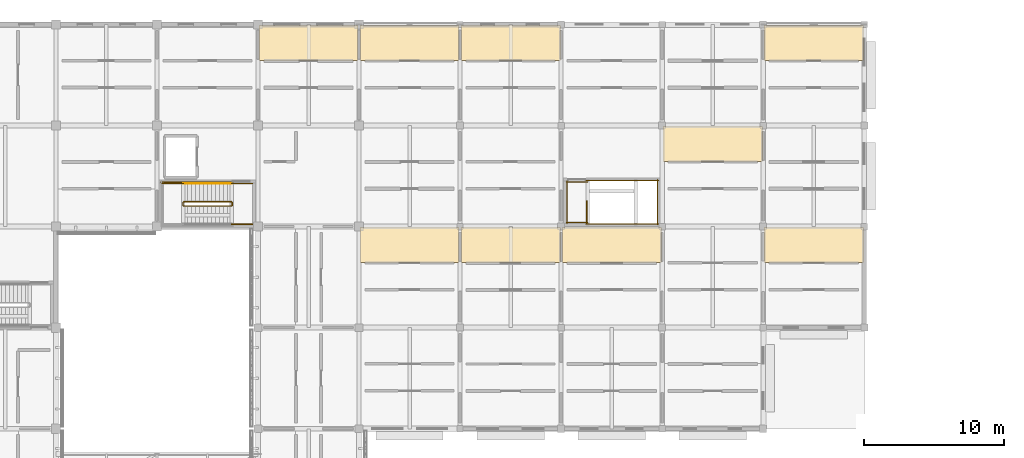
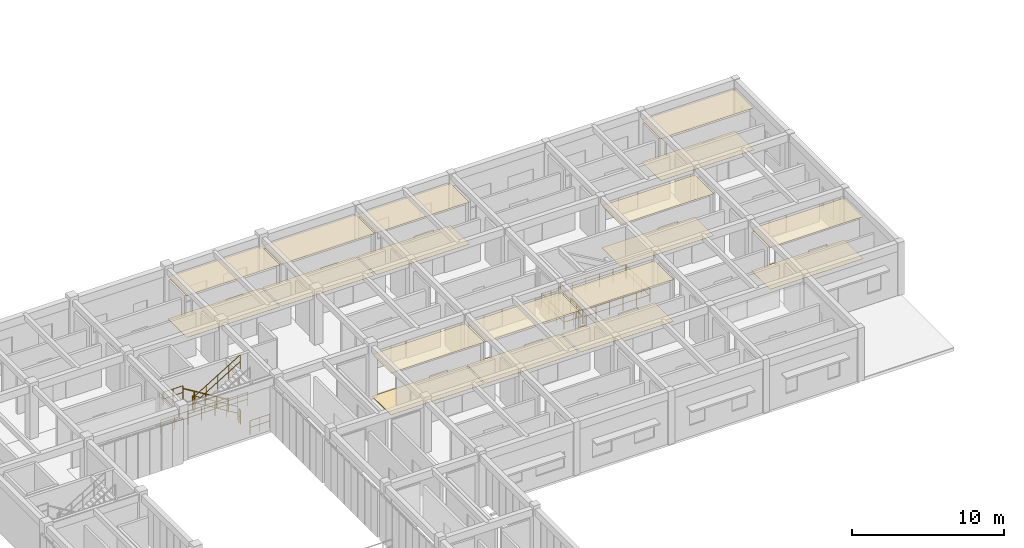
# One storey, part 89 of 91: 18 coverings, 16 railings.
"""IFC4 building model written with IfcOpenShell, lengths in metres."""

import ifcopenshell
import ifcopenshell.guid

model = None  # the IFC model being written
_history = None  # IfcOwnerHistory: only IFC2X3 demands one
_inside = {}  # id of a spatial element -> (the spatial element, [elements in it])
_under = {}  # id of a project, library or spatial element -> (it, [spatial elements below it])
_declared = {}  # id of a project -> (the project, [libraries it declares])
_typed = {}  # id of a type object -> (the type object, [elements of that type])
_made_of = {}  # id of a material, layer set ... -> (it, [elements and type objects made of it])


def new_model(schema):
    """Start an empty IFC model of exactly this schema.

    Asked for "IFC4X3", IfcOpenShell would pick the latest addendum, in which some entities
    have other attributes; the version numbers below select the first issue.
    IFC2X3 requires an IfcOwnerHistory on every rooted entity: one is made here for all.
    """
    global model, _history
    if schema == "IFC4X3":
        model = ifcopenshell.file(schema_version=(4, 3, 0, 0))
    else:
        model = ifcopenshell.file(schema=schema)
    _inside.clear()
    _under.clear()
    _declared.clear()
    _typed.clear()
    _made_of.clear()
    _history = None
    if model.schema == "IFC2X3":
        org = make("IfcOrganization", Name="unknown")
        user = make(
            "IfcPersonAndOrganization",
            ThePerson=make("IfcPerson", FamilyName="unknown"),
            TheOrganization=org,
        )
        app = make(
            "IfcApplication",
            ApplicationDeveloper=org,
            Version="unknown",
            ApplicationFullName="unknown",
            ApplicationIdentifier="unknown",
        )
        _history = make(
            "IfcOwnerHistory",
            OwningUser=user,
            OwningApplication=app,
            ChangeAction="ADDED",
            CreationDate=0,
        )
    return model


def make(cls, **values):
    """One entity of the class cls with the attributes given. An attribute that is None is left unset."""
    return model.create_entity(
        cls, **{name: value for name, value in values.items() if value is not None}
    )


def rooted(cls, **values):
    """An entity with a GlobalId (a new one), such as an element, a storey or a relation."""
    return make(cls, GlobalId=ifcopenshell.guid.new(), OwnerHistory=_history, **values)


def si_unit(unit_type, name, prefix=None):
    """IfcSIUnit, for example si_unit("LENGTHUNIT", "METRE", prefix="MILLI")."""
    return make("IfcSIUnit", UnitType=unit_type, Prefix=prefix, Name=name)


def assignment(units):
    """IfcUnitAssignment: the units of a project."""
    return None if units is None else make("IfcUnitAssignment", Units=units)


def point(xyz):
    """IfcCartesianPoint."""
    return None if xyz is None else make("IfcCartesianPoint", Coordinates=xyz)


def direction(xyz):
    """IfcDirection."""
    return None if xyz is None else make("IfcDirection", DirectionRatios=xyz)


def frame(location, z_axis=None, x_axis=None):
    """IfcAxis2Placement3D, a coordinate frame: its origin and axes. An axis left out is left unset."""
    return make(
        "IfcAxis2Placement3D",
        Location=point(location),
        Axis=direction(z_axis),
        RefDirection=direction(x_axis),
    )


def frame_2d(location, x_axis=None):
    """IfcAxis2Placement2D, a coordinate frame in the plane: its origin and x axis."""
    return make(
        "IfcAxis2Placement2D", Location=point(location), RefDirection=direction(x_axis)
    )


def origin():
    """The frame at (0, 0, 0) with its axes left unset."""
    return frame((0.0, 0.0, 0.0))


def origin_2d():
    """The frame at (0, 0) in the plane with its x axis left unset."""
    return frame_2d((0.0, 0.0))


def place(relative_to, where):
    """IfcLocalPlacement: puts the frame where relative to a parent placement (None: the world)."""
    return make(
        "IfcLocalPlacement", PlacementRelTo=relative_to, RelativePlacement=where
    )


def context(
    kind, dimensions, precision=None, world=None, true_north=None, identifier=None
):
    """IfcGeometricRepresentationContext, for example the 3D "Model" context."""
    return make(
        "IfcGeometricRepresentationContext",
        ContextIdentifier=identifier,
        ContextType=kind,
        CoordinateSpaceDimension=dimensions,
        Precision=precision,
        WorldCoordinateSystem=world,
        TrueNorth=true_north,
    )


def subcontext(parent, identifier, kind, view, scale=None):
    """IfcGeometricRepresentationSubContext, for example "Body" below "Model"."""
    return make(
        "IfcGeometricRepresentationSubContext",
        ContextIdentifier=identifier,
        ContextType=kind,
        ParentContext=parent,
        TargetScale=scale,
        TargetView=view,
    )


def project(units=None, contexts=None):
    """IfcProject with its units and contexts."""
    return rooted(
        "IfcProject",
        Name="project",
        RepresentationContexts=contexts,
        UnitsInContext=assignment(units),
    )


def spatial(cls, under=None, at=None, **own):
    """A site, building, storey or space (cls), placed at a placement, below another one or the project."""
    s = rooted(cls, ObjectPlacement=at, **own)
    if under is not None:
        _under.setdefault(under.id(), (under, []))[1].append(s)
    return s


def polyline(points):
    """IfcPolyline through the points."""
    return make("IfcPolyline", Points=[point(p) for p in points])


def profile(cls, at=None, kind="AREA", **sizes):
    """A parametric profile (cls). Its sizes go by their IFC names, for example OverallWidth=200.0."""
    return make(cls, ProfileType=kind, Position=at, **sizes)


def circle(**sizes):
    """IfcCircleProfileDef."""
    return profile("IfcCircleProfileDef", **sizes)


def outline(outer, holes=None, kind="AREA"):
    """IfcArbitraryClosedProfileDef: a profile drawn as a closed curve; with holes, ...WithVoids."""
    if holes is None:
        return make("IfcArbitraryClosedProfileDef", ProfileType=kind, OuterCurve=outer)
    return make(
        "IfcArbitraryProfileDefWithVoids",
        ProfileType=kind,
        OuterCurve=outer,
        InnerCurves=holes,
    )


def extrude(swept, where, along, depth):
    """IfcExtrudedAreaSolid: the profile swept, set in the frame where, extruded along a direction by depth."""
    return make(
        "IfcExtrudedAreaSolid",
        SweptArea=swept,
        Position=where,
        ExtrudedDirection=direction(along),
        Depth=depth,
    )


def shape(context_of_items, identifier, shape_type, items):
    """IfcShapeRepresentation: the items that make up one representation, for example the "Body"."""
    return make(
        "IfcShapeRepresentation",
        ContextOfItems=context_of_items,
        RepresentationIdentifier=identifier,
        RepresentationType=shape_type,
        Items=items,
    )


def material(Name=None, Category=None):
    """IfcMaterial."""
    return make("IfcMaterial", Name=Name, Category=Category)


def layer(
    of_material, thickness, ventilated=None, Name=None, Category=None, Priority=None
):
    """IfcMaterialLayer: one layer of a wall or slab, of a material (None: an air gap)."""
    return make(
        "IfcMaterialLayer",
        Material=of_material,
        LayerThickness=thickness,
        IsVentilated=ventilated,
        Name=Name,
        Category=Category,
        Priority=Priority,
    )


def layer_set(layers, Name=None):
    """IfcMaterialLayerSet."""
    return make("IfcMaterialLayerSet", MaterialLayers=layers, LayerSetName=Name)


def made_of(thing, what):
    """Note that an element or type object is made of a material, layer set ...; save() writes the relation."""
    if what is not None:
        _made_of.setdefault(what.id(), (what, []))[1].append(thing)
    return thing


def type_object(cls, material=None, **own):
    """A type object (cls), such as IfcWallType, which elements share."""
    return made_of(rooted(cls, **own), material)


def element(
    cls,
    number,
    at=None,
    inside=None,
    cuts=None,
    type_object=None,
    material=None,
    context=None,
    identifier="Body",
    shape_type=None,
    held_by="IfcProductDefinitionShape",
    body=None,
    shapes=None,
    **own,
):
    """One element of the class cls, such as IfcWall. Its Tag is "e" and its number.

    at: its placement. inside: the storey or other place that contains it. cuts: it is an
    opening in that element (IfcRelVoidsElement). A single representation is given by context,
    identifier, shape_type and body (its items); several are given by shapes. held_by: the class
    of the entity that holds the representations. save() writes the other relations.
    """
    e = rooted(cls, Tag="e%d" % number, ObjectPlacement=at, **own)
    if body is not None:
        shapes = [shape(context, identifier, shape_type, body)]
    if shapes is not None:
        e.Representation = make(held_by, Representations=shapes)
    if inside is not None:
        _inside.setdefault(inside.id(), (inside, []))[1].append(e)
    if cuts is not None:
        rooted(
            "IfcRelVoidsElement", RelatingBuildingElement=cuts, RelatedOpeningElement=e
        )
    if type_object is not None:
        _typed.setdefault(type_object.id(), (type_object, []))[1].append(e)
    return made_of(e, material)


def aggregate(whole, parts):
    """IfcRelAggregates: a whole, such as a stair, and the parts it consists of."""
    return rooted("IfcRelAggregates", RelatingObject=whole, RelatedObjects=parts)


def save(model, path):
    """Write the relations noted so far, then the file.

    IfcRelAggregates (storeys below a building ...), IfcRelContainedInSpatialStructure (elements
    in a storey), IfcRelDefinesByType, IfcRelAssociatesMaterial and IfcRelDeclares: one each for
    every whole, place, type object, material and project.
    """
    for whole, parts in _under.values():
        aggregate(whole, parts)
    for where, things in _inside.values():
        rooted(
            "IfcRelContainedInSpatialStructure",
            RelatedElements=things,
            RelatingStructure=where,
        )
    for kind, things in _typed.values():
        rooted("IfcRelDefinesByType", RelatedObjects=things, RelatingType=kind)
    for what, things in _made_of.values():
        rooted("IfcRelAssociatesMaterial", RelatedObjects=things, RelatingMaterial=what)
    for by, libraries in _declared.values():
        rooted("IfcRelDeclares", RelatingContext=by, RelatedDefinitions=libraries)
    model.write(path)


model = new_model("IFC4")

# Units and contexts
model_context = context("Model", 3, precision=1e-05, world=origin(), true_north=direction((0.0, 1.0)))
body_context = subcontext(model_context, "Body", "Model", "MODEL_VIEW")
ifc_project = project(units=[si_unit("LENGTHUNIT", "METRE"), si_unit("AREAUNIT", "SQUARE_METRE"), si_unit("VOLUMEUNIT", "CUBIC_METRE"), si_unit("PLANEANGLEUNIT", "RADIAN"), si_unit("MASSUNIT", "GRAM", prefix="KILO")], contexts=[model_context])

# Site, building, storey
site_placement = place(None, origin())
site = spatial("IfcSite", under=ifc_project, at=site_placement, CompositionType="ELEMENT")
building_placement = place(site_placement, origin())
building = spatial("IfcBuilding", under=site, at=building_placement, Name="Aldebral Square Health Centre", CompositionType="ELEMENT")
storey_placement = place(building_placement, frame((0.0, 0.0, 9.0)))
storey = spatial("IfcBuildingStorey", under=building, at=storey_placement, Name="L02", CompositionType="ELEMENT", Elevation=9.0)

# Coverings
ifc_material_1 = material(Name="Hygienic acoustic mineral ceiling tile")
ifc_layer_1 = layer(ifc_material_1, 0.02001953125, Name="Hygienic acoustic mineral ceiling tile")
ifc_layer_set_1 = layer_set([ifc_layer_1], Name="Hygienic acoustic mineral ceiling tile")
covering_type_1 = type_object("IfcCoveringType", Name="COV-CLG-AC", PredefinedType="CEILING", material=ifc_layer_set_1)
covering_1_placement = place(storey_placement, frame((0.0, 0.0, 3.360107421875)))
element("IfcCovering", 1, at=covering_1_placement, inside=storey, type_object=covering_type_1, Name="L02 Pre-Operative Preparation 5.14N acoustic ceiling", PredefinedType="CEILING", context=body_context, shape_type="SweptSolid", body=[
    extrude(outline(polyline([(28.860107421875, 98.239990234375), (35.93994140625, 98.239990234375), (35.93994140625, 100.739990234375), (28.860107421875, 100.739990234375), (28.860107421875, 98.239990234375)])), origin(), (0.0, 0.0, 1.0), 0.019775390625),
])
covering_2_placement = place(storey_placement, frame((0.0, 0.0, 3.360107421875)))
element("IfcCovering", 2, at=covering_2_placement, inside=storey, type_object=covering_type_1, Name="L02 Surgical HVAC Plant Room 5.16N acoustic ceiling", PredefinedType="CEILING", context=body_context, shape_type="SweptSolid", body=[
    extrude(outline(polyline([(28.860107421875, 112.639892578125), (35.93994140625, 112.639892578125), (35.93994140625, 115.139892578125), (28.860107421875, 115.139892578125), (28.860107421875, 112.639892578125)])), origin(), (0.0, 0.0, 1.0), 0.019775390625),
])
covering_3_placement = place(storey_placement, frame((0.0, 0.0, 3.360107421875)))
element("IfcCovering", 3, at=covering_3_placement, inside=storey, type_object=covering_type_1, Name="L02 Post-Anaesthesia Recovery Bay 6.14N acoustic ceiling", PredefinedType="CEILING", context=body_context, shape_type="SweptSolid", body=[
    extrude(outline(polyline([(36.06005859375, 98.239990234375), (43.139892578125, 98.239990234375), (43.139892578125, 100.739990234375), (36.06005859375, 100.739990234375), (36.06005859375, 98.239990234375)])), origin(), (0.0, 0.0, 1.0), 0.019775390625),
])
covering_4_placement = place(storey_placement, frame((0.0, 0.0, 3.360107421875)))
element("IfcCovering", 4, at=covering_4_placement, inside=storey, type_object=covering_type_1, Name="L02 Surgical Scrub and Gowning 6.16N acoustic ceiling", PredefinedType="CEILING", context=body_context, shape_type="SweptSolid", body=[
    extrude(outline(polyline([(36.06005859375, 112.639892578125), (43.139892578125, 112.639892578125), (43.139892578125, 115.139892578125), (36.06005859375, 115.139892578125), (36.06005859375, 112.639892578125)])), origin(), (0.0, 0.0, 1.0), 0.019775390625),
])
covering_5_placement = place(storey_placement, frame((0.0, 0.0, 3.360107421875)))
element("IfcCovering", 5, at=covering_5_placement, inside=storey, type_object=covering_type_1, Name="L02 Ambulatory Procedure Room 7.14N acoustic ceiling", PredefinedType="CEILING", context=body_context, shape_type="SweptSolid", body=[
    extrude(outline(polyline([(43.260009765625, 98.239990234375), (50.340087890625, 98.239990234375), (50.340087890625, 100.739990234375), (43.260009765625, 100.739990234375), (43.260009765625, 98.239990234375)])), origin(), (0.0, 0.0, 1.0), 0.019775390625),
])
covering_6_placement = place(storey_placement, frame((0.0, 0.0, 3.360107421875)))
element("IfcCovering", 6, at=covering_6_placement, inside=storey, type_object=covering_type_1, Name="L02 Day Surgery Operating Theatre 8.15N acoustic ceiling", PredefinedType="CEILING", context=body_context, shape_type="SweptSolid", body=[
    extrude(outline(polyline([(50.4599609375, 105.43994140625), (57.5400390625, 105.43994140625), (57.5400390625, 107.93994140625), (50.4599609375, 107.93994140625), (50.4599609375, 105.43994140625)])), origin(), (0.0, 0.0, 1.0), 0.019775390625),
])
covering_7_placement = place(storey_placement, frame((0.0, 0.0, 3.360107421875)))
element("IfcCovering", 7, at=covering_7_placement, inside=storey, type_object=covering_type_1, Name="L02 Central Sterile Supply 9.14N acoustic ceiling", PredefinedType="CEILING", context=body_context, shape_type="SweptSolid", body=[
    extrude(outline(polyline([(57.659912109375, 98.239990234375), (64.739990234375, 98.239990234375), (64.739990234375, 100.739990234375), (57.659912109375, 100.739990234375), (57.659912109375, 98.239990234375)])), origin(), (0.0, 0.0, 1.0), 0.019775390625),
])
covering_8_placement = place(storey_placement, frame((0.0, 0.0, 3.360107421875)))
element("IfcCovering", 8, at=covering_8_placement, inside=storey, type_object=covering_type_1, Name="L02 Accessible WC 9.16N acoustic ceiling", PredefinedType="CEILING", context=body_context, shape_type="SweptSolid", body=[
    extrude(outline(polyline([(57.659912109375, 112.639892578125), (64.739990234375, 112.639892578125), (64.739990234375, 115.139892578125), (57.659912109375, 115.139892578125), (57.659912109375, 112.639892578125)])), origin(), (0.0, 0.0, 1.0), 0.019775390625),
])
covering_9_placement = place(storey_placement, frame((0.0, 0.0, 3.360107421875)))
element("IfcCovering", 9, at=covering_9_placement, inside=storey, type_object=covering_type_1, Name="L02 General Consulting Room 4.16N acoustic ceiling", PredefinedType="CEILING", context=body_context, shape_type="SweptSolid", body=[
    extrude(outline(polyline([(21.659912109375, 112.639892578125), (28.739990234375, 112.639892578125), (28.739990234375, 115.139892578125), (21.659912109375, 115.139892578125), (21.659912109375, 112.639892578125)])), origin(), (0.0, 0.0, 1.0), 0.019775390625),
])
ifc_material_2 = material(Name="Antimicrobial clinical vinyl flooring")
ifc_layer_2 = layer(ifc_material_2, 0.014892578125, Name="Antimicrobial clinical vinyl flooring")
ifc_layer_set_2 = layer_set([ifc_layer_2], Name="Antimicrobial clinical vinyl flooring")
covering_type_2 = type_object("IfcCoveringType", Name="COV-FLR-VN", PredefinedType="FLOORING", material=ifc_layer_set_2)
covering_10_placement = place(storey_placement, origin())
element("IfcCovering", 10, at=covering_10_placement, inside=storey, type_object=covering_type_2, Name="L02 Pre-Operative Preparation 5.14N clinical flooring", PredefinedType="FLOORING", context=body_context, shape_type="SweptSolid", body=[
    extrude(outline(polyline([(28.860107421875, 98.239990234375), (35.93994140625, 98.239990234375), (35.93994140625, 100.739990234375), (28.860107421875, 100.739990234375), (28.860107421875, 98.239990234375)])), origin(), (0.0, 0.0, 1.0), 0.014892578125),
])
covering_11_placement = place(storey_placement, origin())
element("IfcCovering", 11, at=covering_11_placement, inside=storey, type_object=covering_type_2, Name="L02 Surgical HVAC Plant Room 5.16N clinical flooring", PredefinedType="FLOORING", context=body_context, shape_type="SweptSolid", body=[
    extrude(outline(polyline([(28.860107421875, 112.639892578125), (35.93994140625, 112.639892578125), (35.93994140625, 115.139892578125), (28.860107421875, 115.139892578125), (28.860107421875, 112.639892578125)])), origin(), (0.0, 0.0, 1.0), 0.014892578125),
])
covering_12_placement = place(storey_placement, origin())
element("IfcCovering", 12, at=covering_12_placement, inside=storey, type_object=covering_type_2, Name="L02 Post-Anaesthesia Recovery Bay 6.14N clinical flooring", PredefinedType="FLOORING", context=body_context, shape_type="SweptSolid", body=[
    extrude(outline(polyline([(36.06005859375, 98.239990234375), (43.139892578125, 98.239990234375), (43.139892578125, 100.739990234375), (36.06005859375, 100.739990234375), (36.06005859375, 98.239990234375)])), origin(), (0.0, 0.0, 1.0), 0.014892578125),
])
covering_13_placement = place(storey_placement, origin())
element("IfcCovering", 13, at=covering_13_placement, inside=storey, type_object=covering_type_2, Name="L02 Surgical Scrub and Gowning 6.16N clinical flooring", PredefinedType="FLOORING", context=body_context, shape_type="SweptSolid", body=[
    extrude(outline(polyline([(36.06005859375, 112.639892578125), (43.139892578125, 112.639892578125), (43.139892578125, 115.139892578125), (36.06005859375, 115.139892578125), (36.06005859375, 112.639892578125)])), origin(), (0.0, 0.0, 1.0), 0.014892578125),
])
covering_14_placement = place(storey_placement, origin())
element("IfcCovering", 14, at=covering_14_placement, inside=storey, type_object=covering_type_2, Name="L02 Ambulatory Procedure Room 7.14N clinical flooring", PredefinedType="FLOORING", context=body_context, shape_type="SweptSolid", body=[
    extrude(outline(polyline([(43.260009765625, 98.239990234375), (50.340087890625, 98.239990234375), (50.340087890625, 100.739990234375), (43.260009765625, 100.739990234375), (43.260009765625, 98.239990234375)])), origin(), (0.0, 0.0, 1.0), 0.014892578125),
])
covering_15_placement = place(storey_placement, origin())
element("IfcCovering", 15, at=covering_15_placement, inside=storey, type_object=covering_type_2, Name="L02 Day Surgery Operating Theatre 8.15N clinical flooring", PredefinedType="FLOORING", context=body_context, shape_type="SweptSolid", body=[
    extrude(outline(polyline([(50.4599609375, 105.43994140625), (57.5400390625, 105.43994140625), (57.5400390625, 107.93994140625), (50.4599609375, 107.93994140625), (50.4599609375, 105.43994140625)])), origin(), (0.0, 0.0, 1.0), 0.014892578125),
])
covering_16_placement = place(storey_placement, origin())
element("IfcCovering", 16, at=covering_16_placement, inside=storey, type_object=covering_type_2, Name="L02 Central Sterile Supply 9.14N clinical flooring", PredefinedType="FLOORING", context=body_context, shape_type="SweptSolid", body=[
    extrude(outline(polyline([(57.659912109375, 98.239990234375), (64.739990234375, 98.239990234375), (64.739990234375, 100.739990234375), (57.659912109375, 100.739990234375), (57.659912109375, 98.239990234375)])), origin(), (0.0, 0.0, 1.0), 0.014892578125),
])
covering_17_placement = place(storey_placement, origin())
element("IfcCovering", 17, at=covering_17_placement, inside=storey, type_object=covering_type_2, Name="L02 Accessible WC 9.16N clinical flooring", PredefinedType="FLOORING", context=body_context, shape_type="SweptSolid", body=[
    extrude(outline(polyline([(57.659912109375, 112.639892578125), (64.739990234375, 112.639892578125), (64.739990234375, 115.139892578125), (57.659912109375, 115.139892578125), (57.659912109375, 112.639892578125)])), origin(), (0.0, 0.0, 1.0), 0.014892578125),
])
covering_18_placement = place(storey_placement, origin())
element("IfcCovering", 18, at=covering_18_placement, inside=storey, type_object=covering_type_2, Name="L02 General Consulting Room 4.16N clinical flooring", PredefinedType="FLOORING", context=body_context, shape_type="SweptSolid", body=[
    extrude(outline(polyline([(21.659912109375, 112.639892578125), (28.739990234375, 112.639892578125), (28.739990234375, 115.139892578125), (21.659912109375, 115.139892578125), (21.659912109375, 112.639892578125)])), origin(), (0.0, 0.0, 1.0), 0.014892578125),
])

# Railings
ifc_material_3 = material(Name="Painted steel S355JR stair guard", Category="steel")
railing_type_1 = type_object("IfcRailingType", Name="RL-ST-GRD", PredefinedType="GUARDRAIL", material=ifc_material_3)
railing_1_placement = place(storey_placement, frame((19.719970703125, 102.570068359375, 0.173095703125)))
element("IfcRailing", 19, at=railing_1_placement, inside=storey, type_object=railing_type_1, Name="L02 ST-02 stair guard 1", PredefinedType="GUARDRAIL", context=body_context, shape_type="SweptSolid", body=[
    extrude(circle(Radius=0.02392578125, at=origin_2d()), frame((0.0, 0.0, 1.09619140625), z_axis=(-0.854729506542, 0.0, 0.519073665916), x_axis=(0.0, -1.0, 0.0)), (0.0, 0.0, 1.0), 4.001220703125),
    extrude(circle(Radius=0.02392578125, at=origin_2d()), frame((0.0, 0.0, 0.56005859375), z_axis=(-0.854729506542, 0.0, 0.519073665916), x_axis=(0.0, -1.0, 0.0)), (0.0, 0.0, 1.0), 4.001220703125),
    extrude(circle(Radius=0.02099609375, at=origin_2d()), origin(), (0.0, 0.0, 1.0), 1.072021484375),
    extrude(circle(Radius=0.02099609375, at=origin_2d()), frame((-0.85498046875, 0.0, 0.519287109375)), (0.0, 0.0, 1.0), 1.072021484375),
    extrude(circle(Radius=0.02099609375, at=origin_2d()), frame((-1.7099609375, 0.0, 1.03857421875)), (0.0, 0.0, 1.0), 1.072021484375),
    extrude(circle(Radius=0.02099609375, at=origin_2d()), frame((-2.56494140625, 0.0, 1.5576171875)), (0.0, 0.0, 1.0), 1.072021484375),
    extrude(circle(Radius=0.02099609375, at=origin_2d()), frame((-3.419921875, 0.0, 2.076904296875)), (0.0, 0.0, 1.0), 1.072021484375),
])
railing_2_placement = place(storey_placement, frame((16.25, 102.52001953125, 2.25)))
element("IfcRailing", 20, at=railing_2_placement, inside=storey, type_object=railing_type_1, Name="L02 ST-02 stair guard 2", PredefinedType="GUARDRAIL", context=body_context, shape_type="SweptSolid", body=[
    extrude(circle(Radius=0.02392578125, at=origin_2d()), frame((0.0, 0.0, 1.09619140625), z_axis=(0.0, -1.0, 0.0), x_axis=(1.0, 0.0, 0.0)), (0.0, 0.0, 1.0), 0.199951171875),
    extrude(circle(Radius=0.02392578125, at=origin_2d()), frame((0.0, 0.0, 0.56005859375), z_axis=(0.0, -1.0, 0.0), x_axis=(1.0, 0.0, 0.0)), (0.0, 0.0, 1.0), 0.199951171875),
    extrude(circle(Radius=0.02099609375, at=origin_2d()), origin(), (0.0, 0.0, 1.0), 1.072021484375),
    extrude(circle(Radius=0.02099609375, at=origin_2d()), frame((0.0, -0.199951171875, 0.0)), (0.0, 0.0, 1.0), 1.072021484375),
])
railing_3_placement = place(storey_placement, frame((16.300048828125, 103.8701171875, 2.25)))
element("IfcRailing", 21, at=railing_3_placement, inside=storey, type_object=railing_type_1, Name="L02 ST-02 stair guard 3", PredefinedType="GUARDRAIL", context=body_context, shape_type="SweptSolid", body=[
    extrude(circle(Radius=0.02392578125, at=origin_2d()), frame((0.0, 0.0, 1.09619140625), z_axis=(-1.0, 0.0, 0.0), x_axis=(0.0, -1.0, 0.0)), (0.0, 0.0, 1.0), 1.52001953125),
    extrude(circle(Radius=0.02392578125, at=origin_2d()), frame((0.0, 0.0, 0.56005859375), z_axis=(-1.0, 0.0, 0.0), x_axis=(0.0, -1.0, 0.0)), (0.0, 0.0, 1.0), 1.52001953125),
    extrude(circle(Radius=0.02099609375, at=origin_2d()), origin(), (0.0, 0.0, 1.0), 1.072021484375),
    extrude(circle(Radius=0.02099609375, at=origin_2d()), frame((-0.760009765625, 0.0, 0.0)), (0.0, 0.0, 1.0), 1.072021484375),
    extrude(circle(Radius=0.02099609375, at=origin_2d()), frame((-1.52001953125, 0.0, 0.0)), (0.0, 0.0, 1.0), 1.072021484375),
])
railing_4_placement = place(storey_placement, frame((16.300048828125, 102.27001953125, 2.423095703125)))
element("IfcRailing", 22, at=railing_4_placement, inside=storey, type_object=railing_type_1, Name="L02 ST-02 stair guard 6", PredefinedType="GUARDRAIL", context=body_context, shape_type="SweptSolid", body=[
    extrude(circle(Radius=0.02392578125, at=origin_2d()), frame((0.0, 0.0, 1.09619140625), z_axis=(0.854729506542, 0.0, 0.519073665916), x_axis=(0.0, 1.0, 0.0)), (0.0, 0.0, 1.0), 4.001220703125),
    extrude(circle(Radius=0.02392578125, at=origin_2d()), frame((0.0, 0.0, 0.56005859375), z_axis=(0.854729506542, 0.0, 0.519073665916), x_axis=(0.0, 1.0, 0.0)), (0.0, 0.0, 1.0), 4.001220703125),
    extrude(circle(Radius=0.02099609375, at=origin_2d()), origin(), (0.0, 0.0, 1.0), 1.072021484375),
    extrude(circle(Radius=0.02099609375, at=origin_2d()), frame((0.85498046875, 0.0, 0.519287109375)), (0.0, 0.0, 1.0), 1.072021484375),
    extrude(circle(Radius=0.02099609375, at=origin_2d()), frame((1.7099609375, 0.0, 1.03857421875)), (0.0, 0.0, 1.0), 1.072021484375),
    extrude(circle(Radius=0.02099609375, at=origin_2d()), frame((2.56494140625, 0.0, 1.5576171875)), (0.0, 0.0, 1.0), 1.072021484375),
    extrude(circle(Radius=0.02099609375, at=origin_2d()), frame((3.419921875, 0.0, 2.076904296875)), (0.0, 0.0, 1.0), 1.072021484375),
])
railing_5_placement = place(storey_placement, frame((19.77001953125, 102.52001953125, 0.0)))
element("IfcRailing", 23, at=railing_5_placement, inside=storey, type_object=railing_type_1, Name="L02 ST-02 stair guard 7", PredefinedType="GUARDRAIL", context=body_context, shape_type="SweptSolid", body=[
    extrude(circle(Radius=0.02392578125, at=origin_2d()), frame((0.0, 0.0, 1.09619140625), z_axis=(0.0, -1.0, 0.0), x_axis=(1.0, 0.0, 0.0)), (0.0, 0.0, 1.0), 0.199951171875),
    extrude(circle(Radius=0.02392578125, at=origin_2d()), frame((0.0, 0.0, 0.56005859375), z_axis=(0.0, -1.0, 0.0), x_axis=(1.0, 0.0, 0.0)), (0.0, 0.0, 1.0), 0.199951171875),
    extrude(circle(Radius=0.02099609375, at=origin_2d()), origin(), (0.0, 0.0, 1.0), 1.072021484375),
    extrude(circle(Radius=0.02099609375, at=origin_2d()), frame((0.0, -0.199951171875, 0.0)), (0.0, 0.0, 1.0), 1.072021484375),
])
for number, where, name in (
    (24, (21.219970703125, 103.8701171875, 0.0), "L02 ST-02 stair guard 8"),
    (25, (21.219970703125, 100.969970703125, 0.0), "L02 ST-02 stair guard 9"),
):
    element("IfcRailing", number, at=place(storey_placement, frame(where)), inside=storey, type_object=railing_type_1, Name=name, PredefinedType="GUARDRAIL", context=body_context, shape_type="SweptSolid", body=[
        extrude(circle(Radius=0.02392578125, at=origin_2d()), frame((0.0, 0.0, 1.09619140625), z_axis=(-1.0, 0.0, 0.0), x_axis=(0.0, -1.0, 0.0)), (0.0, 0.0, 1.0), 1.5),
        extrude(circle(Radius=0.02392578125, at=origin_2d()), frame((0.0, 0.0, 0.56005859375), z_axis=(-1.0, 0.0, 0.0), x_axis=(0.0, -1.0, 0.0)), (0.0, 0.0, 1.0), 1.5),
        extrude(circle(Radius=0.02099609375, at=origin_2d()), origin(), (0.0, 0.0, 1.0), 1.072021484375),
        extrude(circle(Radius=0.02099609375, at=origin_2d()), frame((-0.75, 0.0, 0.0)), (0.0, 0.0, 1.0), 1.072021484375),
        extrude(circle(Radius=0.02099609375, at=origin_2d()), frame((-1.5, 0.0, 0.0)), (0.0, 0.0, 1.0), 1.072021484375),
    ])
railing_6_placement = place(storey_placement, frame((19.820068359375, 103.969970703125, 0.0)))
element("IfcRailing", 26, at=railing_6_placement, inside=storey, type_object=railing_type_1, Name="L02 ST-02 stair guard 10", PredefinedType="GUARDRAIL", context=body_context, shape_type="SweptSolid", body=[
    extrude(circle(Radius=0.02392578125, at=origin_2d()), frame((0.0, 0.0, 1.09619140625), z_axis=(-1.0, 0.0, 0.0), x_axis=(0.0, -1.0, 0.0)), (0.0, 0.0, 1.0), 5.14013671875),
    extrude(circle(Radius=0.02392578125, at=origin_2d()), frame((0.0, 0.0, 0.56005859375), z_axis=(-1.0, 0.0, 0.0), x_axis=(0.0, -1.0, 0.0)), (0.0, 0.0, 1.0), 5.14013671875),
    extrude(circle(Radius=0.02099609375, at=origin_2d()), origin(), (0.0, 0.0, 1.0), 1.072021484375),
    extrude(circle(Radius=0.02099609375, at=origin_2d()), frame((-1.028076171875, 0.0, 0.0)), (0.0, 0.0, 1.0), 1.072021484375),
    extrude(circle(Radius=0.02099609375, at=origin_2d()), frame((-2.05615234375, 0.0, 0.0)), (0.0, 0.0, 1.0), 1.072021484375),
    extrude(circle(Radius=0.02099609375, at=origin_2d()), frame((-3.083984375, 0.0, 0.0)), (0.0, 0.0, 1.0), 1.072021484375),
    extrude(circle(Radius=0.02099609375, at=origin_2d()), frame((-4.112060546875, 0.0, 0.0)), (0.0, 0.0, 1.0), 1.072021484375),
    extrude(circle(Radius=0.02099609375, at=origin_2d()), frame((-5.14013671875, 0.0, 0.0)), (0.0, 0.0, 1.0), 1.072021484375),
])
railing_7_placement = place(storey_placement, frame((45.030029296875, 101.0400390625, 0.0)))
element("IfcRailing", 27, at=railing_7_placement, inside=storey, type_object=railing_type_1, Name="L02 ST-06 top well guard 1", PredefinedType="GUARDRAIL", context=body_context, shape_type="SweptSolid", body=[
    extrude(circle(Radius=0.02392578125, at=origin_2d()), frame((0.0, 0.0, 1.09619140625), z_axis=(0.0, 1.0, 0.0), x_axis=(-1.0, 0.0, 0.0)), (0.0, 0.0, 1.0), 1.599853515625),
    extrude(circle(Radius=0.02392578125, at=origin_2d()), frame((0.0, 0.0, 0.56005859375), z_axis=(0.0, 1.0, 0.0), x_axis=(-1.0, 0.0, 0.0)), (0.0, 0.0, 1.0), 1.599853515625),
    extrude(circle(Radius=0.02099609375, at=origin_2d()), origin(), (0.0, 0.0, 1.0), 1.072021484375),
    extrude(circle(Radius=0.02099609375, at=origin_2d()), frame((0.0, 0.7998046875, 0.0)), (0.0, 0.0, 1.0), 1.072021484375),
    extrude(circle(Radius=0.02099609375, at=origin_2d()), frame((0.0, 1.599853515625, 0.0)), (0.0, 0.0, 1.0), 1.072021484375),
])
for number, where, name in (
    (28, (44.97998046875, 100.989990234375, 0.0), "L02 ST-06 top well guard 2"),
    (29, (44.97998046875, 104.090087890625, 0.0), "L02 ST-06 top well guard 3"),
):
    element("IfcRailing", number, at=place(storey_placement, frame(where)), inside=storey, type_object=railing_type_1, Name=name, PredefinedType="GUARDRAIL", context=body_context, shape_type="SweptSolid", body=[
        extrude(circle(Radius=0.02392578125, at=origin_2d()), frame((0.0, 0.0, 1.09619140625), z_axis=(1.0, 0.0, 0.0), x_axis=(0.0, 1.0, 0.0)), (0.0, 0.0, 1.0), 5.14013671875),
        extrude(circle(Radius=0.02392578125, at=origin_2d()), frame((0.0, 0.0, 0.56005859375), z_axis=(1.0, 0.0, 0.0), x_axis=(0.0, 1.0, 0.0)), (0.0, 0.0, 1.0), 5.14013671875),
        extrude(circle(Radius=0.02099609375, at=origin_2d()), origin(), (0.0, 0.0, 1.0), 1.072021484375),
        extrude(circle(Radius=0.02099609375, at=origin_2d()), frame((1.028076171875, 0.0, 0.0)), (0.0, 0.0, 1.0), 1.072021484375),
        extrude(circle(Radius=0.02099609375, at=origin_2d()), frame((2.05615234375, 0.0, 0.0)), (0.0, 0.0, 1.0), 1.072021484375),
        extrude(circle(Radius=0.02099609375, at=origin_2d()), frame((3.083984375, 0.0, 0.0)), (0.0, 0.0, 1.0), 1.072021484375),
        extrude(circle(Radius=0.02099609375, at=origin_2d()), frame((4.112060546875, 0.0, 0.0)), (0.0, 0.0, 1.0), 1.072021484375),
        extrude(circle(Radius=0.02099609375, at=origin_2d()), frame((5.14013671875, 0.0, 0.0)), (0.0, 0.0, 1.0), 1.072021484375),
    ])
railing_8_placement = place(storey_placement, frame((50.070068359375, 100.93994140625, 0.0)))
element("IfcRailing", 30, at=railing_8_placement, inside=storey, type_object=railing_type_1, Name="L02 ST-06 top well guard 4", PredefinedType="GUARDRAIL", context=body_context, shape_type="SweptSolid", body=[
    extrude(circle(Radius=0.02392578125, at=origin_2d()), frame((0.0, 0.0, 1.09619140625), z_axis=(0.0, 1.0, 0.0), x_axis=(-1.0, 0.0, 0.0)), (0.0, 0.0, 1.0), 3.199951171875),
    extrude(circle(Radius=0.02392578125, at=origin_2d()), frame((0.0, 0.0, 0.56005859375), z_axis=(0.0, 1.0, 0.0), x_axis=(-1.0, 0.0, 0.0)), (0.0, 0.0, 1.0), 3.199951171875),
    extrude(circle(Radius=0.02099609375, at=origin_2d()), origin(), (0.0, 0.0, 1.0), 1.072021484375),
    extrude(circle(Radius=0.02099609375, at=origin_2d()), frame((0.0, 1.066650390625, 0.0)), (0.0, 0.0, 1.0), 1.072021484375),
    extrude(circle(Radius=0.02099609375, at=origin_2d()), frame((0.0, 2.13330078125, 0.0)), (0.0, 0.0, 1.0), 1.072021484375),
    extrude(circle(Radius=0.02099609375, at=origin_2d()), frame((0.0, 3.199951171875, 0.0)), (0.0, 0.0, 1.0), 1.072021484375),
])
for number, where, name in (
    (31, (43.580078125, 101.090087890625, 0.0), "L02 ST-06 top well guard 5"),
    (32, (43.580078125, 103.989990234375, 0.0), "L02 ST-06 top well guard 6"),
):
    element("IfcRailing", number, at=place(storey_placement, frame(where)), inside=storey, type_object=railing_type_1, Name=name, PredefinedType="GUARDRAIL", context=body_context, shape_type="SweptSolid", body=[
        extrude(circle(Radius=0.02392578125, at=origin_2d()), frame((0.0, 0.0, 1.09619140625), z_axis=(1.0, 0.0, 0.0), x_axis=(0.0, 1.0, 0.0)), (0.0, 0.0, 1.0), 1.5),
        extrude(circle(Radius=0.02392578125, at=origin_2d()), frame((0.0, 0.0, 0.56005859375), z_axis=(1.0, 0.0, 0.0), x_axis=(0.0, 1.0, 0.0)), (0.0, 0.0, 1.0), 1.5),
        extrude(circle(Radius=0.02099609375, at=origin_2d()), origin(), (0.0, 0.0, 1.0), 1.072021484375),
        extrude(circle(Radius=0.02099609375, at=origin_2d()), frame((0.75, 0.0, 0.0)), (0.0, 0.0, 1.0), 1.072021484375),
        extrude(circle(Radius=0.02099609375, at=origin_2d()), frame((1.5, 0.0, 0.0)), (0.0, 0.0, 1.0), 1.072021484375),
    ])
railing_9_placement = place(storey_placement, frame((43.6298828125, 101.0400390625, 0.0)))
element("IfcRailing", 33, at=railing_9_placement, inside=storey, type_object=railing_type_1, Name="L02 ST-06 top well guard 7", PredefinedType="GUARDRAIL", context=body_context, shape_type="SweptSolid", body=[
    extrude(circle(Radius=0.02392578125, at=origin_2d()), frame((0.0, 0.0, 1.09619140625), z_axis=(0.0, 1.0, 0.0), x_axis=(-1.0, 0.0, 0.0)), (0.0, 0.0, 1.0), 3.0),
    extrude(circle(Radius=0.02392578125, at=origin_2d()), frame((0.0, 0.0, 0.56005859375), z_axis=(0.0, 1.0, 0.0), x_axis=(-1.0, 0.0, 0.0)), (0.0, 0.0, 1.0), 3.0),
    extrude(circle(Radius=0.02099609375, at=origin_2d()), origin(), (0.0, 0.0, 1.0), 1.072021484375),
    extrude(circle(Radius=0.02099609375, at=origin_2d()), frame((0.0, 1.0, 0.0)), (0.0, 0.0, 1.0), 1.072021484375),
    extrude(circle(Radius=0.02099609375, at=origin_2d()), frame((0.0, 2.0, 0.0)), (0.0, 0.0, 1.0), 1.072021484375),
    extrude(circle(Radius=0.02099609375, at=origin_2d()), frame((0.0, 3.0, 0.0)), (0.0, 0.0, 1.0), 1.072021484375),
])
ifc_material_4 = material(Name="Brushed stainless steel handrail", Category="steel")
railing_type_2 = type_object("IfcRailingType", Name="RL-ST-HND", PredefinedType="HANDRAIL", material=ifc_material_4)
railing_10_placement = place(storey_placement, frame((19.719970703125, 103.8701171875, 0.173095703125)))
element("IfcRailing", 34, at=railing_10_placement, inside=storey, type_object=railing_type_2, Name="L02 ST-02 stair handrail 1", PredefinedType="HANDRAIL", context=body_context, shape_type="SweptSolid", body=[
    extrude(circle(Radius=0.02392578125, at=origin_2d()), frame((0.0, 0.0, 0.8759765625), z_axis=(-0.854729506542, 0.0, 0.519073665916), x_axis=(0.0, -1.0, 0.0)), (0.0, 0.0, 1.0), 4.001220703125),
    extrude(circle(Radius=0.02099609375, at=origin_2d()), origin(), (0.0, 0.0, 1.0), 0.851806640625),
    extrude(circle(Radius=0.02099609375, at=origin_2d()), frame((-0.85498046875, 0.0, 0.519287109375)), (0.0, 0.0, 1.0), 0.851806640625),
    extrude(circle(Radius=0.02099609375, at=origin_2d()), frame((-1.7099609375, 0.0, 1.03857421875)), (0.0, 0.0, 1.0), 0.851806640625),
    extrude(circle(Radius=0.02099609375, at=origin_2d()), frame((-2.56494140625, 0.0, 1.5576171875)), (0.0, 0.0, 1.0), 0.851806640625),
    extrude(circle(Radius=0.02099609375, at=origin_2d()), frame((-3.419921875, 0.0, 2.076904296875)), (0.0, 0.0, 1.0), 0.851806640625),
])

save(model, "model.ifc")
